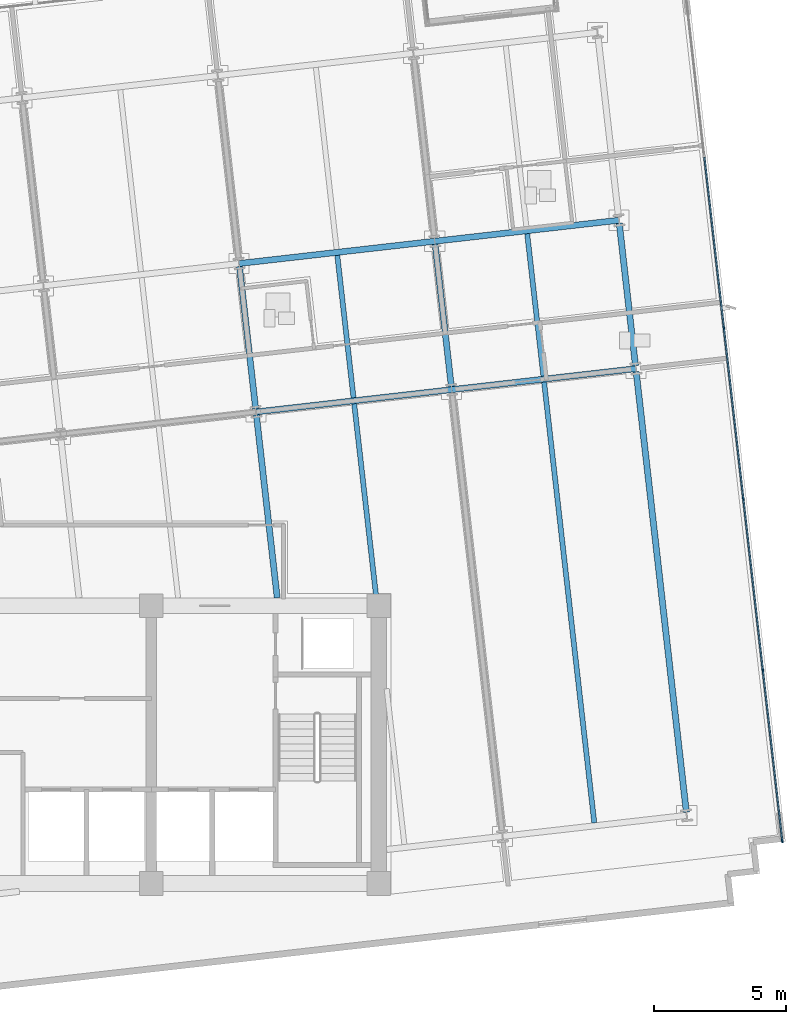
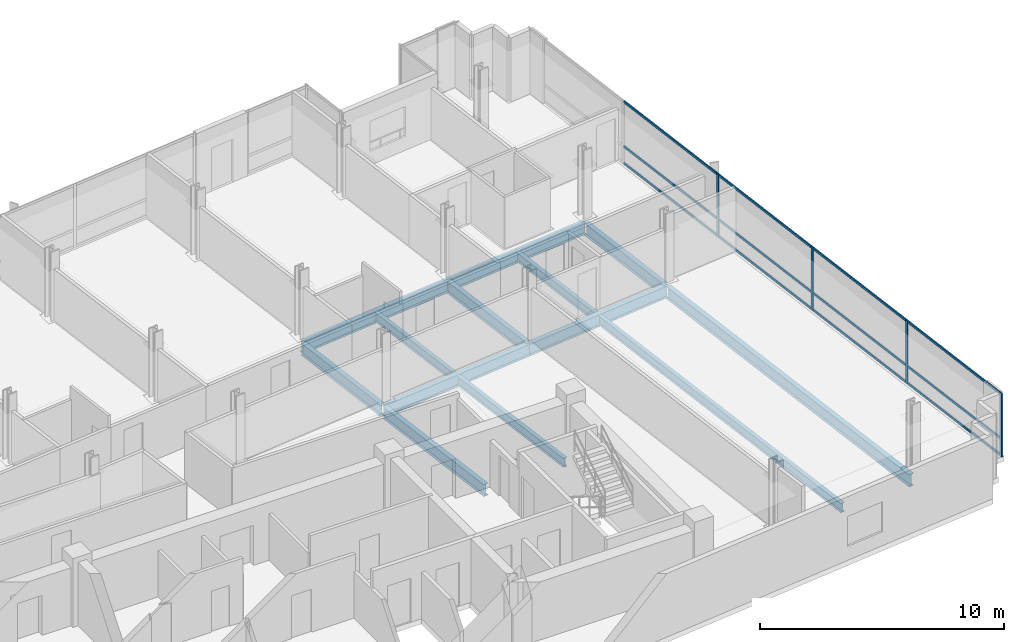
# One storey, part 5 of 16: 16 members, 13 beams, 1 element without a shape of its own.
"""IFC4 building model written with IfcOpenShell, lengths in metres."""

from ifc_helpers import new_model, si_unit, direction, frame, origin, origin_2d, place, context, subcontext, project, spatial, rectangle, i_section, extrude, material, material_profile, profile_set, type_object, element, aggregate, save


model = new_model("IFC4")

# Units and contexts
model_context = context("Model", 3, precision=1e-05, world=origin(), true_north=direction((0.0, 1.0)))
body_context = subcontext(model_context, "Body", "Model", "MODEL_VIEW")
ifc_project = project(units=[si_unit("LENGTHUNIT", "METRE"), si_unit("AREAUNIT", "SQUARE_METRE"), si_unit("VOLUMEUNIT", "CUBIC_METRE"), si_unit("PLANEANGLEUNIT", "RADIAN"), si_unit("MASSUNIT", "GRAM", prefix="KILO")], contexts=[model_context])

# Site, building, storey
site_placement = place(None, origin())
site = spatial("IfcSite", under=ifc_project, at=site_placement, CompositionType="ELEMENT")
building_placement = place(site_placement, origin())
building = spatial("IfcBuilding", under=site, at=building_placement, Name="Solmavex Isthmus Hotel", CompositionType="ELEMENT")
storey_placement = place(building_placement, frame((0.0, 0.0, 222.75)))
storey = spatial("IfcBuildingStorey", under=building, at=storey_placement, Name="L60", CompositionType="ELEMENT", Elevation=222.75)

# Beams
ifc_material_1 = material(Name="Steel ASTM A992 Grade 50", Category="steel")
ifc_material_profile_1 = material_profile(ifc_material_1, i_section(OverallWidth=0.1904296875, OverallDepth=0.456787109375, WebThickness=0.009033203125, FlangeThickness=0.014404296875, FilletRadius=0.0126953125, at=origin_2d()), Name="W18X50")
ifc_profile_set_1 = profile_set([ifc_material_profile_1], Name="Steel ASTM A992 Grade 50")
beam_type_1 = type_object("IfcBeamType", Name="BM-BJ-W18X50", PredefinedType="JOIST", material=ifc_profile_set_1)
beam_1_placement = place(storey_placement, frame((15.908447265625, -2.199951171875, -0.488525390625), z_axis=(-0.113224925382, 0.99356938171, 0.0), x_axis=(-0.99356938171, -0.113224925382, 0.0)))
element("IfcBeam", 1, at=beam_1_placement, inside=storey, type_object=beam_type_1, Name="Secondary Floor Joist L60-J16", PredefinedType="JOIST", context=body_context, shape_type="SweptSolid", body=[
    extrude(i_section(OverallWidth=0.1904296875, OverallDepth=0.456787109375, WebThickness=0.009033203125, FlangeThickness=0.014404296875, FilletRadius=0.0126953125, at=origin_2d()), origin(), (0.0, 0.0, 1.0), 7.38525390625),
])
beam_2_placement = place(storey_placement, frame((15.046630859375, 5.364013671875, -0.488525390625), z_axis=(-0.113189626161, 0.993573403695, 0.0), x_axis=(-0.993573403695, -0.113189626161, 0.0)))
element("IfcBeam", 2, at=beam_2_placement, inside=storey, type_object=beam_type_1, Name="Secondary Floor Joist L60-J17", PredefinedType="JOIST", context=body_context, shape_type="SweptSolid", body=[
    extrude(i_section(OverallWidth=0.1904296875, OverallDepth=0.456787109375, WebThickness=0.009033203125, FlangeThickness=0.014404296875, FilletRadius=0.0126953125, at=origin_2d()), origin(), (0.0, 0.0, 1.0), 5.42041015625),
])
beam_3_placement = place(storey_placement, frame((24.1513671875, -10.707275390625, -0.488525390625), z_axis=(-0.113198426291, 0.993572401129, 0.0), x_axis=(-0.993572401129, -0.113198426291, 0.0)))
element("IfcBeam", 3, at=beam_3_placement, inside=storey, type_object=beam_type_1, Name="Secondary Floor Joist L60-J19", PredefinedType="JOIST", context=body_context, shape_type="SweptSolid", body=[
    extrude(i_section(OverallWidth=0.1904296875, OverallDepth=0.456787109375, WebThickness=0.009033203125, FlangeThickness=0.014404296875, FilletRadius=0.0126953125, at=origin_2d()), origin(), (0.0, 0.0, 1.0), 16.77099609375),
])
beam_4_placement = place(storey_placement, frame((22.22705078125, 6.18212890625, -0.488525390625), z_axis=(-0.113189626161, 0.993573403695, 0.0), x_axis=(-0.993573403695, -0.113189626161, 0.0)))
element("IfcBeam", 4, at=beam_4_placement, inside=storey, type_object=beam_type_1, Name="Secondary Floor Joist L60-J20", PredefinedType="JOIST", context=body_context, shape_type="SweptSolid", body=[
    extrude(i_section(OverallWidth=0.1904296875, OverallDepth=0.456787109375, WebThickness=0.009033203125, FlangeThickness=0.014404296875, FilletRadius=0.0126953125, at=origin_2d()), origin(), (0.0, 0.0, 1.0), 5.42041015625),
])
ifc_material_profile_2 = material_profile(ifc_material_1, i_section(OverallWidth=0.227783203125, OverallDepth=0.602783203125, WebThickness=0.010498046875, FlangeThickness=0.014892578125, FilletRadius=0.01513671875, at=origin_2d()), Name="W24X68")
ifc_profile_set_2 = profile_set([ifc_material_profile_2], Name="Steel ASTM A992 Grade 50")
beam_type_2 = type_object("IfcBeamType", Name="BM-BM-W24X68", PredefinedType="BEAM", material=ifc_profile_set_2)
beam_5_placement = place(storey_placement, frame((11.3603515625, 4.829345703125, -0.561279296875), z_axis=(0.9935703463, 0.113216460607, 0.0), x_axis=(-0.113216460607, 0.9935703463, 0.0)))
element("IfcBeam", 5, at=beam_5_placement, inside=storey, type_object=beam_type_2, Name="Floor Girder L60-UG10", PredefinedType="BEAM", context=body_context, shape_type="SweptSolid", body=[
    extrude(i_section(OverallWidth=0.227783203125, OverallDepth=0.602783203125, WebThickness=0.010498046875, FlangeThickness=0.014892578125, FilletRadius=0.01513671875, at=origin_2d()), origin(), (0.0, 0.0, 1.0), 7.446044921875),
])
beam_6_placement = place(storey_placement, frame((18.758544921875, 5.67236328125, -0.561279296875), z_axis=(0.99357359356, 0.113187959519, 0.0), x_axis=(-0.113187959519, 0.99357359356, 0.0)))
element("IfcBeam", 6, at=beam_6_placement, inside=storey, type_object=beam_type_2, Name="Floor Girder L60-UG11", PredefinedType="BEAM", context=body_context, shape_type="SweptSolid", body=[
    extrude(i_section(OverallWidth=0.227783203125, OverallDepth=0.602783203125, WebThickness=0.010498046875, FlangeThickness=0.014892578125, FilletRadius=0.01513671875, at=origin_2d()), origin(), (0.0, 0.0, 1.0), 7.0078125),
])
beam_7_placement = place(storey_placement, frame((10.720947265625, 10.441162109375, -0.561279296875), z_axis=(0.993574034044, 0.113184092846, 0.0), x_axis=(-0.113184092846, 0.993574034044, 0.0)))
element("IfcBeam", 7, at=beam_7_placement, inside=storey, type_object=beam_type_2, Name="Floor Girder L60-UG16", PredefinedType="BEAM", context=body_context, shape_type="SweptSolid", body=[
    extrude(i_section(OverallWidth=0.227783203125, OverallDepth=0.602783203125, WebThickness=0.010498046875, FlangeThickness=0.014892578125, FilletRadius=0.01513671875, at=origin_2d()), origin(), (0.0, 0.0, 1.0), 7.446044921875),
])
beam_8_placement = place(storey_placement, frame((18.119140625, 11.283935546875, -0.561279296875), z_axis=(0.993569675103, 0.113222350774, 0.0), x_axis=(-0.113222350774, 0.993569675103, 0.0)))
element("IfcBeam", 8, at=beam_8_placement, inside=storey, type_object=beam_type_2, Name="Floor Girder L60-UG17", PredefinedType="BEAM", context=body_context, shape_type="SweptSolid", body=[
    extrude(i_section(OverallWidth=0.227783203125, OverallDepth=0.602783203125, WebThickness=0.010498046875, FlangeThickness=0.014892578125, FilletRadius=0.01513671875, at=origin_2d()), origin(), (0.0, 0.0, 1.0), 7.008056640625),
])
beam_9_placement = place(storey_placement, frame((12.161376953125, -2.199951171875, -0.561279296875), z_axis=(-0.113214229187, 0.993570600566, 0.0), x_axis=(-0.993570600566, -0.113214229187, 0.0)))
element("IfcBeam", 9, at=beam_9_placement, inside=storey, type_object=beam_type_2, Name="Floor Beam L60-VG37", PredefinedType="BEAM", context=body_context, shape_type="SweptSolid", body=[
    extrude(i_section(OverallWidth=0.227783203125, OverallDepth=0.602783203125, WebThickness=0.010498046875, FlangeThickness=0.014892578125, FilletRadius=0.01513671875, at=origin_2d()), origin(), (0.0, 0.0, 1.0), 6.9609375),
])
beam_10_placement = place(storey_placement, frame((11.347412109375, 4.942626953125, -0.561279296875), z_axis=(-0.113194691868, 0.993572826587, 0.0), x_axis=(-0.993572826587, -0.113194691868, 0.0)))
element("IfcBeam", 10, at=beam_10_placement, inside=storey, type_object=beam_type_2, Name="Floor Beam L60-VG38", PredefinedType="BEAM", context=body_context, shape_type="SweptSolid", body=[
    extrude(i_section(OverallWidth=0.227783203125, OverallDepth=0.602783203125, WebThickness=0.010498046875, FlangeThickness=0.014892578125, FilletRadius=0.01513671875, at=origin_2d()), origin(), (0.0, 0.0, 1.0), 5.420166015625),
])
beam_11_placement = place(storey_placement, frame((18.74560546875, 5.785400390625, -0.561279296875), z_axis=(-0.113189626161, 0.993573403695, 0.0), x_axis=(-0.993573403695, -0.113189626161, 0.0)))
element("IfcBeam", 11, at=beam_11_placement, inside=storey, type_object=beam_type_2, Name="Floor Beam L60-VG41", PredefinedType="BEAM", context=body_context, shape_type="SweptSolid", body=[
    extrude(i_section(OverallWidth=0.227783203125, OverallDepth=0.602783203125, WebThickness=0.010498046875, FlangeThickness=0.014892578125, FilletRadius=0.01513671875, at=origin_2d()), origin(), (0.0, 0.0, 1.0), 5.42041015625),
])
ifc_material_profile_3 = material_profile(ifc_material_1, i_section(OverallWidth=0.230224609375, OverallDepth=0.617431640625, WebThickness=0.01318359375, FlangeThickness=0.022216796875, FilletRadius=0.01513671875, at=origin_2d()), Name="W24X94")
ifc_profile_set_3 = profile_set([ifc_material_profile_3], Name="Steel ASTM A992 Grade 50")
beam_type_3 = type_object("IfcBeamType", Name="BM-SP-W24X94", PredefinedType="SPANDREL", material=ifc_profile_set_3)
beam_12_placement = place(storey_placement, frame((27.6328125, -10.310546875, -0.56884765625), z_axis=(-0.113198426291, 0.993572401129, 0.0), x_axis=(-0.993572401129, -0.113198426291, 0.0)))
element("IfcBeam", 12, at=beam_12_placement, inside=storey, type_object=beam_type_3, Name="Floor Beam L60-VG43", PredefinedType="SPANDREL", context=body_context, shape_type="SweptSolid", body=[
    extrude(i_section(OverallWidth=0.230224609375, OverallDepth=0.617431640625, WebThickness=0.01318359375, FlangeThickness=0.022216796875, FilletRadius=0.01513671875, at=origin_2d()), origin(), (0.0, 0.0, 1.0), 16.77099609375),
])
beam_13_placement = place(storey_placement, frame((25.70849609375, 6.578857421875, -0.56884765625), z_axis=(-0.113194691868, 0.993572826587, 0.0), x_axis=(-0.993572826587, -0.113194691868, 0.0)))
element("IfcBeam", 13, at=beam_13_placement, inside=storey, type_object=beam_type_3, Name="Floor Beam L60-VG44", PredefinedType="SPANDREL", context=body_context, shape_type="SweptSolid", body=[
    extrude(i_section(OverallWidth=0.230224609375, OverallDepth=0.617431640625, WebThickness=0.01318359375, FlangeThickness=0.022216796875, FilletRadius=0.01513671875, at=origin_2d()), origin(), (0.0, 0.0, 1.0), 5.420166015625),
])

# Curtain wall, members
ifc_material_2 = material(Name="Aluminium alloy 6063-T6", Category="aluminium")
curtain_wall_type = type_object("IfcCurtainWallType", Name="CW-SYS-06", PredefinedType="NOTDEFINED", material=ifc_material_2)
curtain_wall_placement = place(storey_placement, origin())
curtain_wall = element("IfcCurtainWall", 14, at=curtain_wall_placement, inside=storey, type_object=curtain_wall_type, Name="Stick Curtain Wall CWL-L60-E1", PredefinedType="NOTDEFINED")
ifc_material_profile_4 = material_profile(ifc_material_2, rectangle(XDim=0.06005859375, YDim=0.139892578125, at=origin_2d()), Name="CWM-60X140")
ifc_profile_set_4 = profile_set([ifc_material_profile_4], Name="Aluminium alloy 6063-T6")
member_type_1 = type_object("IfcMemberType", Name="CW-SYS-06-MUL", PredefinedType="MULLION", material=ifc_profile_set_4)
member_1_placement = place(storey_placement, frame((31.2587890625, -11.392333984375, 0.0), z_axis=(0.0, 0.0, 1.0), x_axis=(-0.993571836648, -0.11320338078, 0.0)))
member_1 = element("IfcMember", 15, at=member_1_placement, type_object=member_type_1, Name="CW-06 mullion 1", PredefinedType="MULLION", context=body_context, shape_type="SweptSolid", body=[
    extrude(rectangle(XDim=0.06005859375, YDim=0.139892578125, at=origin_2d()), origin(), (0.0, 0.0, 1.0), 3.18994140625),
])
member_2_placement = place(storey_placement, frame((30.52392578125, -4.944091796875, 0.0), z_axis=(0.0, 0.0, 1.0), x_axis=(-0.993571836648, -0.11320338078, 0.0)))
member_2 = element("IfcMember", 16, at=member_2_placement, type_object=member_type_1, Name="CW-06 mullion 2", PredefinedType="MULLION", context=body_context, shape_type="SweptSolid", body=[
    extrude(rectangle(XDim=0.06005859375, YDim=0.139892578125, at=origin_2d()), origin(), (0.0, 0.0, 1.0), 3.18994140625),
])
member_3_placement = place(storey_placement, frame((29.785888671875, 1.533935546875, 0.0), z_axis=(0.0, 0.0, 1.0), x_axis=(-0.993571836648, -0.11320338078, 0.0)))
member_3 = element("IfcMember", 17, at=member_3_placement, type_object=member_type_1, Name="CW-06 mullion 3", PredefinedType="MULLION", context=body_context, shape_type="SweptSolid", body=[
    extrude(rectangle(XDim=0.06005859375, YDim=0.139892578125, at=origin_2d()), origin(), (0.0, 0.0, 1.0), 3.18994140625),
])
member_4_placement = place(storey_placement, frame((29.0478515625, 8.01220703125, 0.0), z_axis=(0.0, 0.0, 1.0), x_axis=(-0.993571836648, -0.11320338078, 0.0)))
member_4 = element("IfcMember", 18, at=member_4_placement, type_object=member_type_1, Name="CW-06 mullion 4", PredefinedType="MULLION", context=body_context, shape_type="SweptSolid", body=[
    extrude(rectangle(XDim=0.06005859375, YDim=0.139892578125, at=origin_2d()), origin(), (0.0, 0.0, 1.0), 3.18994140625),
])
ifc_material_profile_5 = material_profile(ifc_material_2, rectangle(XDim=0.06005859375, YDim=0.114990234375, at=origin_2d()), Name="CWT-60X115")
ifc_profile_set_5 = profile_set([ifc_material_profile_5], Name="Aluminium alloy 6063-T6")
member_type_2 = type_object("IfcMemberType", Name="CW-SYS-06-TRN", PredefinedType="USERDEFINED", material=ifc_profile_set_5)
member_5_placement = place(storey_placement, frame((31.25537109375, -11.362548828125, 0.0576171875), z_axis=(-0.113223191888, 0.993569579254, 0.0), x_axis=(-0.993569579254, -0.113223191888, 0.0)))
member_5 = element("IfcMember", 19, at=member_5_placement, type_object=member_type_2, Name="CW-06 transom 1.1", ObjectType="TRANSOM", PredefinedType="USERDEFINED", context=body_context, shape_type="SweptSolid", body=[
    extrude(rectangle(XDim=0.06005859375, YDim=0.114990234375, at=origin_2d()), origin(), (0.0, 0.0, 1.0), 6.429931640625),
])
member_6_placement = place(storey_placement, frame((31.25537109375, -11.362548828125, 0.89990234375), z_axis=(-0.113223191888, 0.993569579254, 0.0), x_axis=(-0.993569579254, -0.113223191888, 0.0)))
member_6 = element("IfcMember", 20, at=member_6_placement, type_object=member_type_2, Name="CW-06 transom 1.2", ObjectType="TRANSOM", PredefinedType="USERDEFINED", context=body_context, shape_type="SweptSolid", body=[
    extrude(rectangle(XDim=0.06005859375, YDim=0.114990234375, at=origin_2d()), origin(), (0.0, 0.0, 1.0), 6.429931640625),
])
member_7_placement = place(storey_placement, frame((31.25537109375, -11.362548828125, 3.132568359375), z_axis=(-0.113223191888, 0.993569579254, 0.0), x_axis=(-0.993569579254, -0.113223191888, 0.0)))
member_7 = element("IfcMember", 21, at=member_7_placement, type_object=member_type_2, Name="CW-06 transom 1.3", ObjectType="TRANSOM", PredefinedType="USERDEFINED", context=body_context, shape_type="SweptSolid", body=[
    extrude(rectangle(XDim=0.06005859375, YDim=0.114990234375, at=origin_2d()), origin(), (0.0, 0.0, 1.0), 6.429931640625),
])
member_8_placement = place(storey_placement, frame((30.5205078125, -4.914306640625, 0.0576171875), z_axis=(-0.113189516226, 0.993573416219, 0.0), x_axis=(-0.993573416219, -0.113189516226, 0.0)))
member_8 = element("IfcMember", 22, at=member_8_placement, type_object=member_type_2, Name="CW-06 transom 2.1", ObjectType="TRANSOM", PredefinedType="USERDEFINED", context=body_context, shape_type="SweptSolid", body=[
    extrude(rectangle(XDim=0.06005859375, YDim=0.114990234375, at=origin_2d()), origin(), (0.0, 0.0, 1.0), 6.4599609375),
])
member_9_placement = place(storey_placement, frame((30.5205078125, -4.914306640625, 0.89990234375), z_axis=(-0.113189516226, 0.993573416219, 0.0), x_axis=(-0.993573416219, -0.113189516226, 0.0)))
member_9 = element("IfcMember", 23, at=member_9_placement, type_object=member_type_2, Name="CW-06 transom 2.2", ObjectType="TRANSOM", PredefinedType="USERDEFINED", context=body_context, shape_type="SweptSolid", body=[
    extrude(rectangle(XDim=0.06005859375, YDim=0.114990234375, at=origin_2d()), origin(), (0.0, 0.0, 1.0), 6.4599609375),
])
member_10_placement = place(storey_placement, frame((30.5205078125, -4.914306640625, 3.132568359375), z_axis=(-0.113189516226, 0.993573416219, 0.0), x_axis=(-0.993573416219, -0.113189516226, 0.0)))
member_10 = element("IfcMember", 24, at=member_10_placement, type_object=member_type_2, Name="CW-06 transom 2.3", ObjectType="TRANSOM", PredefinedType="USERDEFINED", context=body_context, shape_type="SweptSolid", body=[
    extrude(rectangle(XDim=0.06005859375, YDim=0.114990234375, at=origin_2d()), origin(), (0.0, 0.0, 1.0), 6.4599609375),
])
member_11_placement = place(storey_placement, frame((29.782470703125, 1.56396484375, 0.0576171875), z_axis=(-0.113189516226, 0.993573416219, 0.0), x_axis=(-0.993573416219, -0.113189516226, 0.0)))
member_11 = element("IfcMember", 25, at=member_11_placement, type_object=member_type_2, Name="CW-06 transom 3.1", ObjectType="TRANSOM", PredefinedType="USERDEFINED", context=body_context, shape_type="SweptSolid", body=[
    extrude(rectangle(XDim=0.06005859375, YDim=0.114990234375, at=origin_2d()), origin(), (0.0, 0.0, 1.0), 6.4599609375),
])
member_12_placement = place(storey_placement, frame((29.782470703125, 1.56396484375, 0.89990234375), z_axis=(-0.113189516226, 0.993573416219, 0.0), x_axis=(-0.993573416219, -0.113189516226, 0.0)))
member_12 = element("IfcMember", 26, at=member_12_placement, type_object=member_type_2, Name="CW-06 transom 3.2", ObjectType="TRANSOM", PredefinedType="USERDEFINED", context=body_context, shape_type="SweptSolid", body=[
    extrude(rectangle(XDim=0.06005859375, YDim=0.114990234375, at=origin_2d()), origin(), (0.0, 0.0, 1.0), 6.4599609375),
])
member_13_placement = place(storey_placement, frame((29.782470703125, 1.56396484375, 3.132568359375), z_axis=(-0.113189516226, 0.993573416219, 0.0), x_axis=(-0.993573416219, -0.113189516226, 0.0)))
member_13 = element("IfcMember", 27, at=member_13_placement, type_object=member_type_2, Name="CW-06 transom 3.3", ObjectType="TRANSOM", PredefinedType="USERDEFINED", context=body_context, shape_type="SweptSolid", body=[
    extrude(rectangle(XDim=0.06005859375, YDim=0.114990234375, at=origin_2d()), origin(), (0.0, 0.0, 1.0), 6.4599609375),
])
member_14_placement = place(storey_placement, frame((29.04443359375, 8.0419921875, 0.0576171875), z_axis=(-0.113189516226, 0.993573416219, 0.0), x_axis=(-0.993573416219, -0.113189516226, 0.0)))
member_14 = element("IfcMember", 28, at=member_14_placement, type_object=member_type_2, Name="CW-06 transom 4.1", ObjectType="TRANSOM", PredefinedType="USERDEFINED", context=body_context, shape_type="SweptSolid", body=[
    extrude(rectangle(XDim=0.06005859375, YDim=0.114990234375, at=origin_2d()), origin(), (0.0, 0.0, 1.0), 6.4599609375),
])
member_15_placement = place(storey_placement, frame((29.04443359375, 8.0419921875, 0.89990234375), z_axis=(-0.113189516226, 0.993573416219, 0.0), x_axis=(-0.993573416219, -0.113189516226, 0.0)))
member_15 = element("IfcMember", 29, at=member_15_placement, type_object=member_type_2, Name="CW-06 transom 4.2", ObjectType="TRANSOM", PredefinedType="USERDEFINED", context=body_context, shape_type="SweptSolid", body=[
    extrude(rectangle(XDim=0.06005859375, YDim=0.114990234375, at=origin_2d()), origin(), (0.0, 0.0, 1.0), 6.4599609375),
])
member_16_placement = place(storey_placement, frame((29.04443359375, 8.0419921875, 3.132568359375), z_axis=(-0.113189516226, 0.993573416219, 0.0), x_axis=(-0.993573416219, -0.113189516226, 0.0)))
member_16 = element("IfcMember", 30, at=member_16_placement, type_object=member_type_2, Name="CW-06 transom 4.3", ObjectType="TRANSOM", PredefinedType="USERDEFINED", context=body_context, shape_type="SweptSolid", body=[
    extrude(rectangle(XDim=0.06005859375, YDim=0.114990234375, at=origin_2d()), origin(), (0.0, 0.0, 1.0), 6.4599609375),
])
aggregate(curtain_wall, [member_1, member_2, member_3, member_4, member_5, member_6, member_7, member_8, member_9, member_10, member_11, member_12, member_13, member_14, member_15, member_16])

save(model, "model.ifc")
